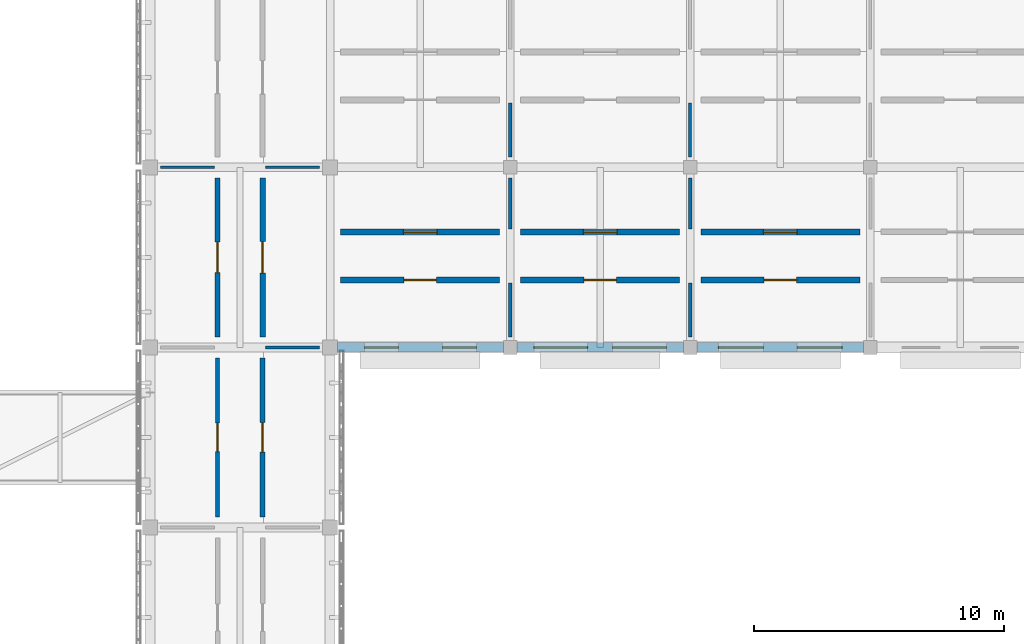
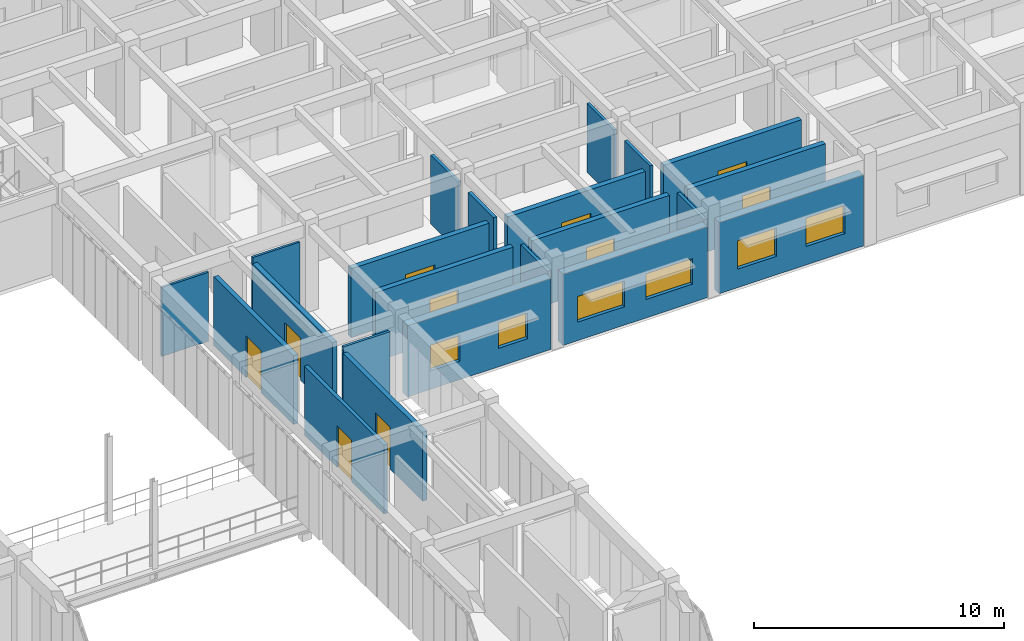
# One storey, part 124 of 171: 22 walls, 10 doors, 6 windows, 16 openings.
"""IFC4 building model written with IfcOpenShell, lengths in metres."""

from ifc_helpers import new_model, si_unit, direction, frame, frame_2d, origin, place, context, subcontext, project, spatial, rectangle, extrude, material, layer, layer_set, type_object, element, fill, save


model = new_model("IFC4")

# Units and contexts
model_context = context("Model", 3, precision=1e-05, world=origin(), true_north=direction((0.0, 1.0)))
body_context = subcontext(model_context, "Body", "Model", "MODEL_VIEW")
ifc_project = project(units=[si_unit("LENGTHUNIT", "METRE"), si_unit("AREAUNIT", "SQUARE_METRE"), si_unit("VOLUMEUNIT", "CUBIC_METRE"), si_unit("PLANEANGLEUNIT", "RADIAN"), si_unit("MASSUNIT", "GRAM", prefix="KILO")], contexts=[model_context])

# Site, building, storey
site_placement = place(None, origin())
site = spatial("IfcSite", under=ifc_project, at=site_placement, CompositionType="ELEMENT")
building_placement = place(site_placement, origin())
building = spatial("IfcBuilding", under=site, at=building_placement, Name="Aldebral Square Health Centre", CompositionType="ELEMENT")
storey_placement = place(building_placement, frame((0.0, 0.0, 4.5)))
storey = spatial("IfcBuildingStorey", under=building, at=storey_placement, Name="L01", CompositionType="ELEMENT", Elevation=4.5)

# Wall, openings, windows
ifc_material_1 = material(Name="Lead-lined concrete C40/50 radiology exterior wall", Category="concrete")
ifc_layer_1 = layer(ifc_material_1, 0.3798828125, Name="Lead-lined concrete C40/50 radiology exterior wall", Category="concrete")
ifc_layer_set_1 = layer_set([ifc_layer_1], Name="Lead-lined concrete C40/50 radiology exterior wall")
wall_type_1 = type_object("IfcWallType", Name="EW-SHD-380", PredefinedType="SOLIDWALL", material=ifc_layer_set_1)
wall_1_placement = place(storey_placement, frame((29.10009765625, 86.39990234375, 0.0), z_axis=(0.0, 0.0, 1.0), x_axis=(1.0, 0.0, 0.0)))
wall_1 = element("IfcWall", 1, at=wall_1_placement, inside=storey, type_object=wall_type_1, Name="L01 V2 exterior wall L01-V2-04-12-S", PredefinedType="SOLIDWALL", context=body_context, shape_type="SweptSolid", body=[
    extrude(rectangle(XDim=6.625, YDim=0.3798828125, at=frame_2d((3.3125, 0.0))), origin(), (0.0, 0.0, 1.0), 3.469970703125),
])
opening_1_placement = place(wall_1_placement, frame((1.074951171875, 0.0, 0.89990234375)))
opening_1 = element("IfcOpeningElement", 2, at=opening_1_placement, cuts=wall_1, Name="Opening W04", PredefinedType="OPENING", context=body_context, shape_type="SweptSolid", body=[
    extrude(rectangle(XDim=1.35009765625, YDim=1.25, at=frame_2d((0.675048828125, 0.625))), frame((0.0, 0.199951171875, 0.0), z_axis=(0.0, -1.0, 0.0), x_axis=(1.0, 0.0, 0.0)), (0.0, 0.0, 1.0), 0.39990234375),
])
opening_2_placement = place(wall_1_placement, frame((4.199951171875, 0.0, 0.89990234375)))
opening_2 = element("IfcOpeningElement", 3, at=opening_2_placement, cuts=wall_1, Name="Opening W04", PredefinedType="OPENING", context=body_context, shape_type="SweptSolid", body=[
    extrude(rectangle(XDim=1.35009765625, YDim=1.25, at=frame_2d((0.675048828125, 0.625))), frame((0.0, 0.199951171875, 0.0), z_axis=(0.0, -1.0, 0.0), x_axis=(1.0, 0.0, 0.0)), (0.0, 0.0, 1.0), 0.39990234375),
])
ifc_material_2 = material(Name="Thermally broken aluminium and low-E glass", Category="aluminium")
window_type_1 = type_object("IfcWindowType", Name="WIN-W04", PartitioningType="SINGLE_PANEL", PredefinedType="WINDOW", material=ifc_material_2)
window_1_placement = place(opening_1_placement, origin())
window_1 = element("IfcWindow", 4, at=window_1_placement, inside=storey, type_object=window_type_1, Name="L01 clinical window L01-V2-04-12-S.1", OverallHeight=1.25, OverallWidth=1.35009765625, PartitioningType="SINGLE_PANEL", PredefinedType="WINDOW", context=body_context, shape_type="SweptSolid", body=[
    extrude(rectangle(XDim=1.35009765625, YDim=1.25, at=frame_2d((0.675048828125, 0.625))), frame((0.0, 0.030029296875, 0.0), z_axis=(0.0, -1.0, 0.0), x_axis=(1.0, 0.0, 0.0)), (0.0, 0.0, 1.0), 0.06005859375),
])
fill(opening_1, window_1)
window_2_placement = place(opening_2_placement, origin())
window_2 = element("IfcWindow", 5, at=window_2_placement, inside=storey, type_object=window_type_1, Name="L01 clinical window L01-V2-04-12-S.2", OverallHeight=1.25, OverallWidth=1.35009765625, PartitioningType="SINGLE_PANEL", PredefinedType="WINDOW", context=body_context, shape_type="SweptSolid", body=[
    extrude(rectangle(XDim=1.35009765625, YDim=1.25, at=frame_2d((0.675048828125, 0.625))), frame((0.0, 0.030029296875, 0.0), z_axis=(0.0, -1.0, 0.0), x_axis=(1.0, 0.0, 0.0)), (0.0, 0.0, 1.0), 0.06005859375),
])
fill(opening_2, window_2)

wall_2_placement = place(storey_placement, frame((36.27490234375, 86.39990234375, 0.0), z_axis=(0.0, 0.0, 1.0), x_axis=(1.0, 0.0, 0.0)))
wall_2 = element("IfcWall", 6, at=wall_2_placement, inside=storey, type_object=wall_type_1, Name="L01 V2 exterior wall L01-V2-05-12-S", PredefinedType="SOLIDWALL", context=body_context, shape_type="SweptSolid", body=[
    extrude(rectangle(XDim=6.650146484375, YDim=0.3798828125, at=frame_2d((3.3251953125, 0.0))), origin(), (0.0, 0.0, 1.0), 3.469970703125),
])
opening_3_placement = place(wall_2_placement, frame((0.675048828125, 0.0, 0.89990234375)))
opening_3 = element("IfcOpeningElement", 7, at=opening_3_placement, cuts=wall_2, Name="Opening W09", PredefinedType="OPENING", context=body_context, shape_type="SweptSolid", body=[
    extrude(rectangle(XDim=2.14990234375, YDim=1.25, at=frame_2d((1.074951171875, 0.625))), frame((0.0, 0.199951171875, 0.0), z_axis=(0.0, -1.0, 0.0), x_axis=(1.0, 0.0, 0.0)), (0.0, 0.0, 1.0), 0.39990234375),
])
opening_4_placement = place(wall_2_placement, frame((3.824951171875, 0.0, 0.89990234375)))
opening_4 = element("IfcOpeningElement", 8, at=opening_4_placement, cuts=wall_2, Name="Opening W09", PredefinedType="OPENING", context=body_context, shape_type="SweptSolid", body=[
    extrude(rectangle(XDim=2.14990234375, YDim=1.25, at=frame_2d((1.074951171875, 0.625))), frame((0.0, 0.199951171875, 0.0), z_axis=(0.0, -1.0, 0.0), x_axis=(1.0, 0.0, 0.0)), (0.0, 0.0, 1.0), 0.39990234375),
])
window_type_2 = type_object("IfcWindowType", Name="WIN-W09", PartitioningType="SINGLE_PANEL", PredefinedType="WINDOW", material=ifc_material_2)
window_3_placement = place(opening_3_placement, origin())
window_3 = element("IfcWindow", 9, at=window_3_placement, inside=storey, type_object=window_type_2, Name="L01 clinical window L01-V2-05-12-S.1", OverallHeight=1.25, OverallWidth=2.14990234375, PartitioningType="SINGLE_PANEL", PredefinedType="WINDOW", context=body_context, shape_type="SweptSolid", body=[
    extrude(rectangle(XDim=2.14990234375, YDim=1.25, at=frame_2d((1.074951171875, 0.625))), frame((0.0, 0.030029296875, 0.0), z_axis=(0.0, -1.0, 0.0), x_axis=(1.0, 0.0, 0.0)), (0.0, 0.0, 1.0), 0.06005859375),
])
fill(opening_3, window_3)
window_4_placement = place(opening_4_placement, origin())
window_4 = element("IfcWindow", 10, at=window_4_placement, inside=storey, type_object=window_type_2, Name="L01 clinical window L01-V2-05-12-S.2", OverallHeight=1.25, OverallWidth=2.14990234375, PartitioningType="SINGLE_PANEL", PredefinedType="WINDOW", context=body_context, shape_type="SweptSolid", body=[
    extrude(rectangle(XDim=2.14990234375, YDim=1.25, at=frame_2d((1.074951171875, 0.625))), frame((0.0, 0.030029296875, 0.0), z_axis=(0.0, -1.0, 0.0), x_axis=(1.0, 0.0, 0.0)), (0.0, 0.0, 1.0), 0.06005859375),
])
fill(opening_4, window_4)

wall_3_placement = place(storey_placement, frame((43.47509765625, 86.39990234375, 0.0), z_axis=(0.0, 0.0, 1.0), x_axis=(1.0, 0.0, 0.0)))
wall_3 = element("IfcWall", 11, at=wall_3_placement, inside=storey, type_object=wall_type_1, Name="L01 V2 exterior wall L01-V2-06-12-S", PredefinedType="SOLIDWALL", context=body_context, shape_type="SweptSolid", body=[
    extrude(rectangle(XDim=6.64990234375, YDim=0.3798828125, at=frame_2d((3.324951171875, 0.0))), origin(), (0.0, 0.0, 1.0), 3.469970703125),
])
opening_5_placement = place(wall_3_placement, frame((0.85009765625, 0.0, 0.89990234375)))
opening_5 = element("IfcOpeningElement", 12, at=opening_5_placement, cuts=wall_3, Name="Opening W16", PredefinedType="OPENING", context=body_context, shape_type="SweptSolid", body=[
    extrude(rectangle(XDim=1.800048828125, YDim=1.3798828125, at=frame_2d((0.89990234375, 0.68994140625))), frame((0.0, 0.199951171875, 0.0), z_axis=(0.0, -1.0, 0.0), x_axis=(1.0, 0.0, 0.0)), (0.0, 0.0, 1.0), 0.39990234375),
])
opening_6_placement = place(wall_3_placement, frame((4.0, 0.0, 0.89990234375)))
opening_6 = element("IfcOpeningElement", 13, at=opening_6_placement, cuts=wall_3, Name="Opening W16", PredefinedType="OPENING", context=body_context, shape_type="SweptSolid", body=[
    extrude(rectangle(XDim=1.800048828125, YDim=1.3798828125, at=frame_2d((0.89990234375, 0.68994140625))), frame((0.0, 0.199951171875, 0.0), z_axis=(0.0, -1.0, 0.0), x_axis=(1.0, 0.0, 0.0)), (0.0, 0.0, 1.0), 0.39990234375),
])
window_type_3 = type_object("IfcWindowType", Name="WIN-W16", PartitioningType="SINGLE_PANEL", PredefinedType="WINDOW", material=ifc_material_2)
window_5_placement = place(opening_5_placement, origin())
window_5 = element("IfcWindow", 14, at=window_5_placement, inside=storey, type_object=window_type_3, Name="L01 clinical window L01-V2-06-12-S.1", OverallHeight=1.3798828125, OverallWidth=1.800048828125, PartitioningType="SINGLE_PANEL", PredefinedType="WINDOW", context=body_context, shape_type="SweptSolid", body=[
    extrude(rectangle(XDim=1.800048828125, YDim=1.3798828125, at=frame_2d((0.89990234375, 0.68994140625))), frame((0.0, 0.030029296875, 0.0), z_axis=(0.0, -1.0, 0.0), x_axis=(1.0, 0.0, 0.0)), (0.0, 0.0, 1.0), 0.06005859375),
])
fill(opening_5, window_5)
window_6_placement = place(opening_6_placement, origin())
window_6 = element("IfcWindow", 15, at=window_6_placement, inside=storey, type_object=window_type_3, Name="L01 clinical window L01-V2-06-12-S.2", OverallHeight=1.3798828125, OverallWidth=1.800048828125, PartitioningType="SINGLE_PANEL", PredefinedType="WINDOW", context=body_context, shape_type="SweptSolid", body=[
    extrude(rectangle(XDim=1.800048828125, YDim=1.3798828125, at=frame_2d((0.89990234375, 0.68994140625))), frame((0.0, 0.030029296875, 0.0), z_axis=(0.0, -1.0, 0.0), x_axis=(1.0, 0.0, 0.0)), (0.0, 0.0, 1.0), 0.06005859375),
])
fill(opening_6, window_6)

# Wall, opening, door
ifc_material_3 = material(Name="Concrete C35/45 compartment wall", Category="concrete")
ifc_layer_2 = layer(ifc_material_3, 0.219970703125, Name="Concrete C35/45 compartment wall", Category="concrete")
ifc_layer_set_2 = layer_set([ifc_layer_2], Name="Concrete C35/45 compartment wall")
wall_type_2 = type_object("IfcWallType", Name="IW-CMP-220", PredefinedType="SOLIDWALL", material=ifc_layer_set_2)
wall_4_placement = place(storey_placement, frame((26.10009765625, 86.820068359375, 0.0), z_axis=(0.0, 0.0, 1.0), x_axis=(0.0, 1.0, 0.0)))
wall_4 = element("IfcWall", 16, at=wall_4_placement, inside=storey, type_object=wall_type_2, Name="L01 General Consulting Room 4.13E corridor wall", PredefinedType="SOLIDWALL", context=body_context, shape_type="SweptSolid", body=[
    extrude(rectangle(XDim=6.35986328125, YDim=0.219970703125, at=frame_2d((3.179931640625, 0.0))), origin(), (0.0, 0.0, 1.0), 3.360107421875),
])
opening_7_placement = place(wall_4_placement, frame((2.550048828125, 0.0, 0.0)))
opening_7 = element("IfcOpeningElement", 17, at=opening_7_placement, cuts=wall_4, Name="Opening D-0300", PredefinedType="OPENING", context=body_context, shape_type="SweptSolid", body=[
    extrude(rectangle(XDim=1.260009765625, YDim=2.0400390625, at=frame_2d((0.6298828125, 1.02001953125))), frame((0.0, 0.1201171875, 0.0), z_axis=(0.0, -1.0, 0.0), x_axis=(1.0, 0.0, 0.0)), (0.0, 0.0, 1.0), 0.239990234375),
])
ifc_material_4 = material(Name="Clinical suite fire door")
door_type_1 = type_object("IfcDoorType", Name="ID-EXD-09", OperationType="NOTDEFINED", PredefinedType="DOOR", material=ifc_material_4)
door_1_placement = place(opening_7_placement, origin())
door_1 = element("IfcDoor", 18, at=door_1_placement, inside=storey, type_object=door_type_1, Name="L01 General Consulting Room 4.13E door", OperationType="SINGLE_SWING_LEFT", OverallHeight=2.0400390625, OverallWidth=1.260009765625, PredefinedType="DOOR", context=body_context, shape_type="SweptSolid", body=[
    extrude(rectangle(XDim=1.260009765625, YDim=2.0400390625, at=frame_2d((0.6298828125, 1.02001953125))), frame((0.0, 0.02490234375, 0.0), z_axis=(0.0, -1.0, 0.0), x_axis=(1.0, 0.0, 0.0)), (0.0, 0.0, 1.0), 0.050048828125),
])
fill(opening_7, door_1)

ifc_material_5 = material(Name="Fire-rated acoustic gypsum partition")
ifc_layer_3 = layer(ifc_material_5, 0.1650390625, Name="Fire-rated acoustic gypsum partition")
ifc_layer_set_3 = layer_set([ifc_layer_3], Name="Fire-rated acoustic gypsum partition")
wall_type_3 = type_object("IfcWallType", Name="IW-COR-165", PredefinedType="PARTITIONING", material=ifc_layer_set_3)
wall_5_placement = place(storey_placement, frame((24.300048828125, 79.6201171875, 0.0), z_axis=(0.0, 0.0, 1.0), x_axis=(0.0, 1.0, 0.0)))
wall_5 = element("IfcWall", 19, at=wall_5_placement, inside=storey, type_object=wall_type_3, Name="L01 Outpatient Treatment Room 4.12W corridor wall", PredefinedType="PARTITIONING", context=body_context, shape_type="SweptSolid", body=[
    extrude(rectangle(XDim=6.35986328125, YDim=0.1650390625, at=frame_2d((3.179931640625, 0.0))), origin(), (0.0, 0.0, 1.0), 3.360107421875),
])
opening_8_placement = place(wall_5_placement, frame((2.610107421875, 0.0, 0.0)))
opening_8 = element("IfcOpeningElement", 20, at=opening_8_placement, cuts=wall_5, Name="Opening D-0297", PredefinedType="OPENING", context=body_context, shape_type="SweptSolid", body=[
    extrude(rectangle(XDim=1.139892578125, YDim=2.0400390625, at=frame_2d((0.56982421875, 1.02001953125))), frame((0.0, 0.092529296875, 0.0), z_axis=(0.0, -1.0, 0.0), x_axis=(1.0, 0.0, 0.0)), (0.0, 0.0, 1.0), 0.18505859375),
])
door_type_2 = type_object("IfcDoorType", Name="ID-EXD-06", OperationType="NOTDEFINED", PredefinedType="DOOR", material=ifc_material_4)
door_2_placement = place(opening_8_placement, origin())
door_2 = element("IfcDoor", 21, at=door_2_placement, inside=storey, type_object=door_type_2, Name="L01 Outpatient Treatment Room 4.12W door", OperationType="SINGLE_SWING_RIGHT", OverallHeight=2.0400390625, OverallWidth=1.139892578125, PredefinedType="DOOR", context=body_context, shape_type="SweptSolid", body=[
    extrude(rectangle(XDim=1.139892578125, YDim=2.0400390625, at=frame_2d((0.56982421875, 1.02001953125))), frame((0.0, 0.02490234375, 0.0), z_axis=(0.0, -1.0, 0.0), x_axis=(1.0, 0.0, 0.0)), (0.0, 0.0, 1.0), 0.050048828125),
])
fill(opening_8, door_2)

ifc_material_6 = material(Name="Moisture-resistant sanitary chase wall")
ifc_layer_4 = layer(ifc_material_6, 0.2099609375, Name="Moisture-resistant sanitary chase wall")
ifc_layer_set_4 = layer_set([ifc_layer_4], Name="Moisture-resistant sanitary chase wall")
wall_type_4 = type_object("IfcWallType", Name="IW-PLB-210", PredefinedType="PLUMBINGWALL", material=ifc_layer_set_4)
wall_6_placement = place(storey_placement, frame((26.10009765625, 79.6201171875, 0.0), z_axis=(0.0, 0.0, 1.0), x_axis=(0.0, 1.0, 0.0)))
wall_6 = element("IfcWall", 22, at=wall_6_placement, inside=storey, type_object=wall_type_4, Name="L01 Accessible WC 4.12E corridor wall", PredefinedType="PLUMBINGWALL", context=body_context, shape_type="SweptSolid", body=[
    extrude(rectangle(XDim=6.35986328125, YDim=0.2099609375, at=frame_2d((3.179931640625, 0.0))), origin(), (0.0, 0.0, 1.0), 3.360107421875),
])
opening_9_placement = place(wall_6_placement, frame((2.590087890625, 0.0, 0.0)))
opening_9 = element("IfcOpeningElement", 23, at=opening_9_placement, cuts=wall_6, Name="Opening D-0298", PredefinedType="OPENING", context=body_context, shape_type="SweptSolid", body=[
    extrude(rectangle(XDim=1.179931640625, YDim=2.0400390625, at=frame_2d((0.58984375, 1.02001953125))), frame((0.0, 0.114990234375, 0.0), z_axis=(0.0, -1.0, 0.0), x_axis=(1.0, 0.0, 0.0)), (0.0, 0.0, 1.0), 0.22998046875),
])
door_type_3 = type_object("IfcDoorType", Name="ID-EXD-07", OperationType="NOTDEFINED", PredefinedType="DOOR", material=ifc_material_4)
door_3_placement = place(opening_9_placement, origin())
door_3 = element("IfcDoor", 24, at=door_3_placement, inside=storey, type_object=door_type_3, Name="L01 Accessible WC 4.12E door", OperationType="SINGLE_SWING_LEFT", OverallHeight=2.0400390625, OverallWidth=1.179931640625, PredefinedType="DOOR", context=body_context, shape_type="SweptSolid", body=[
    extrude(rectangle(XDim=1.179931640625, YDim=2.0400390625, at=frame_2d((0.58984375, 1.02001953125))), frame((0.0, 0.02490234375, 0.0), z_axis=(0.0, -1.0, 0.0), x_axis=(1.0, 0.0, 0.0)), (0.0, 0.0, 1.0), 0.050048828125),
])
fill(opening_9, door_3)

wall_7_placement = place(storey_placement, frame((24.300048828125, 86.820068359375, 0.0), z_axis=(0.0, 0.0, 1.0), x_axis=(0.0, 1.0, 0.0)))
wall_7 = element("IfcWall", 25, at=wall_7_placement, inside=storey, type_object=wall_type_4, Name="L01 Staff Toilet 4.13W corridor wall", PredefinedType="PLUMBINGWALL", context=body_context, shape_type="SweptSolid", body=[
    extrude(rectangle(XDim=6.35986328125, YDim=0.2099609375, at=frame_2d((3.179931640625, 0.0))), origin(), (0.0, 0.0, 1.0), 3.360107421875),
])
opening_10_placement = place(wall_7_placement, frame((2.570068359375, 0.0, 0.0)))
opening_10 = element("IfcOpeningElement", 26, at=opening_10_placement, cuts=wall_7, Name="Opening D-0299", PredefinedType="OPENING", context=body_context, shape_type="SweptSolid", body=[
    extrude(rectangle(XDim=1.219970703125, YDim=2.0400390625, at=frame_2d((0.60986328125, 1.02001953125))), frame((0.0, 0.114990234375, 0.0), z_axis=(0.0, -1.0, 0.0), x_axis=(1.0, 0.0, 0.0)), (0.0, 0.0, 1.0), 0.22998046875),
])
door_type_4 = type_object("IfcDoorType", Name="ID-EXD-08", OperationType="NOTDEFINED", PredefinedType="DOOR", material=ifc_material_4)
door_4_placement = place(opening_10_placement, origin())
door_4 = element("IfcDoor", 27, at=door_4_placement, inside=storey, type_object=door_type_4, Name="L01 Staff Toilet 4.13W door", OperationType="SINGLE_SWING_RIGHT", OverallHeight=2.0400390625, OverallWidth=1.219970703125, PredefinedType="DOOR", context=body_context, shape_type="SweptSolid", body=[
    extrude(rectangle(XDim=1.219970703125, YDim=2.0400390625, at=frame_2d((0.60986328125, 1.02001953125))), frame((0.0, 0.02490234375, 0.0), z_axis=(0.0, -1.0, 0.0), x_axis=(1.0, 0.0, 0.0)), (0.0, 0.0, 1.0), 0.050048828125),
])
fill(opening_10, door_4)

# Walls
ifc_material_7 = material(Name="Lightweight clinical partition")
ifc_layer_5 = layer(ifc_material_7, 0.10498046875, Name="Lightweight clinical partition")
ifc_layer_set_5 = layer_set([ifc_layer_5], Name="Lightweight clinical partition")
wall_type_5 = type_object("IfcWallType", Name="IW-PRT-105", PredefinedType="PARTITIONING", material=ifc_layer_set_5)
for number, where, z_axis, x_axis, name in (
    (28, (22.02001953125, 93.60009765625, 0.0), (0.0, 0.0, 1.0), (1.0, 0.0, 0.0), "L01 Staff Toilet 4.13W demising partition"),
    (29, (26.219970703125, 93.60009765625, 0.0), (0.0, 0.0, 1.0), (1.0, 0.0, 0.0), "L01 General Consulting Room 4.13E demising partition"),
):
    element("IfcWall", number, at=place(storey_placement, frame(where, z_axis=z_axis, x_axis=x_axis)), inside=storey, type_object=wall_type_5, Name=name, PredefinedType="PARTITIONING", context=body_context, shape_type="SweptSolid", body=[
        extrude(rectangle(XDim=2.159912109375, YDim=0.10498046875, at=frame_2d((1.080078125, 0.0))), origin(), (0.0, 0.0, 1.0), 3.360107421875),
    ])
ifc_material_8 = material(Name="Acoustic clinical gypsum partition")
ifc_layer_6 = layer(ifc_material_8, 0.1201171875, Name="Acoustic clinical gypsum partition")
ifc_layer_set_6 = layer_set([ifc_layer_6], Name="Acoustic clinical gypsum partition")
wall_type_6 = type_object("IfcWallType", Name="IW-PRT-120", PredefinedType="PARTITIONING", material=ifc_layer_set_6)
for number, where, z_axis, x_axis, name in (
    (30, (43.199951171875, 94.02001953125, 0.0), (0.0, 0.0, 1.0), (0.0, 1.0, 0.0), "L01 Digital Radiography X-Ray Room 6.14S demising partition"),
    (31, (26.219970703125, 86.39990234375, 0.0), (0.0, 0.0, 1.0), (1.0, 0.0, 0.0), "L01 Accessible WC 4.12E demising partition"),
):
    element("IfcWall", number, at=place(storey_placement, frame(where, z_axis=z_axis, x_axis=x_axis)), inside=storey, type_object=wall_type_6, Name=name, PredefinedType="PARTITIONING", context=body_context, shape_type="SweptSolid", body=[
        extrude(rectangle(XDim=2.159912109375, YDim=0.1201171875, at=frame_2d((1.080078125, 0.0))), origin(), (0.0, 0.0, 1.0), 3.360107421875),
    ])
ifc_layer_7 = layer(ifc_material_8, 0.135009765625, Name="Acoustic clinical gypsum partition")
ifc_layer_set_7 = layer_set([ifc_layer_7], Name="Acoustic clinical gypsum partition")
wall_type_7 = type_object("IfcWallType", Name="IW-PRT-135", PredefinedType="PARTITIONING", material=ifc_layer_set_7)
for number, where, z_axis, x_axis, name in (
    (32, (36.0, 94.02001953125, 0.0), (0.0, 0.0, 1.0), (0.0, 1.0, 0.0), "L01 Digital Radiography X-Ray Room 5.14S demising partition"),
    (33, (43.199951171875, 86.820068359375, 0.0), (0.0, 0.0, 1.0), (0.0, 1.0, 0.0), "L01 Diagnostic Imaging CT Suite 6.13S demising partition"),
):
    element("IfcWall", number, at=place(storey_placement, frame(where, z_axis=z_axis, x_axis=x_axis)), inside=storey, type_object=wall_type_7, Name=name, PredefinedType="PARTITIONING", context=body_context, shape_type="SweptSolid", body=[
        extrude(rectangle(XDim=2.159912109375, YDim=0.135009765625, at=frame_2d((1.080078125, 0.0))), origin(), (0.0, 0.0, 1.0), 3.360107421875),
    ])
wall_8_placement = place(storey_placement, frame((43.199951171875, 91.139892578125, 0.0), z_axis=(0.0, 0.0, 1.0), x_axis=(0.0, 1.0, 0.0)))
element("IfcWall", 34, at=wall_8_placement, inside=storey, type_object=wall_type_7, Name="L01 CT Control and Shielded Monitoring 6.13N demising partition", PredefinedType="PARTITIONING", context=body_context, shape_type="SweptSolid", body=[
    extrude(rectangle(XDim=2.0400390625, YDim=0.135009765625, at=frame_2d((1.02001953125, 0.0))), origin(), (0.0, 0.0, 1.0), 3.360107421875),
])
ifc_layer_8 = layer(ifc_material_8, 0.14990234375, Name="Acoustic clinical gypsum partition")
ifc_layer_set_8 = layer_set([ifc_layer_8], Name="Acoustic clinical gypsum partition")
wall_type_8 = type_object("IfcWallType", Name="IW-PRT-150", PredefinedType="PARTITIONING", material=ifc_layer_set_8)
wall_9_placement = place(storey_placement, frame((36.0, 86.820068359375, 0.0), z_axis=(0.0, 0.0, 1.0), x_axis=(0.0, 1.0, 0.0)))
element("IfcWall", 35, at=wall_9_placement, inside=storey, type_object=wall_type_8, Name="L01 Diagnostic Imaging CT Suite 5.13S demising partition", PredefinedType="PARTITIONING", context=body_context, shape_type="SweptSolid", body=[
    extrude(rectangle(XDim=2.159912109375, YDim=0.14990234375, at=frame_2d((1.080078125, 0.0))), origin(), (0.0, 0.0, 1.0), 3.360107421875),
])
wall_10_placement = place(storey_placement, frame((36.0, 91.139892578125, 0.0), z_axis=(0.0, 0.0, 1.0), x_axis=(0.0, 1.0, 0.0)))
element("IfcWall", 36, at=wall_10_placement, inside=storey, type_object=wall_type_8, Name="L01 CT Control and Shielded Monitoring 5.13N demising partition", PredefinedType="PARTITIONING", context=body_context, shape_type="SweptSolid", body=[
    extrude(rectangle(XDim=2.0400390625, YDim=0.14990234375, at=frame_2d((1.02001953125, 0.0))), origin(), (0.0, 0.0, 1.0), 3.360107421875),
])

# Wall, opening, door
ifc_material_9 = material(Name="Lead-lined gypsum and concrete C35/45 barrier", Category="concrete")
ifc_layer_9 = layer(ifc_material_9, 0.239990234375, Name="Lead-lined gypsum and concrete C35/45 barrier", Category="concrete")
ifc_layer_set_9 = layer_set([ifc_layer_9], Name="Lead-lined gypsum and concrete C35/45 barrier")
wall_type_9 = type_object("IfcWallType", Name="IW-RAD-240", PredefinedType="SOLIDWALL", material=ifc_layer_set_9)
wall_11_placement = place(storey_placement, frame((29.219970703125, 89.10009765625, 0.0), z_axis=(0.0, 0.0, 1.0), x_axis=(1.0, 0.0, 0.0)))
wall_11 = element("IfcWall", 37, at=wall_11_placement, inside=storey, type_object=wall_type_9, Name="L01 Diagnostic Imaging CT Suite 5.13S corridor wall", PredefinedType="SOLIDWALL", context=body_context, shape_type="SweptSolid", body=[
    extrude(rectangle(XDim=6.360107421875, YDim=0.239990234375, at=frame_2d((3.18017578125, 0.0))), origin(), (0.0, 0.0, 1.0), 3.360107421875),
])
opening_11_placement = place(wall_11_placement, frame((2.530029296875, 0.0, 0.0)))
opening_11 = element("IfcOpeningElement", 38, at=opening_11_placement, cuts=wall_11, Name="Opening D-0203", PredefinedType="OPENING", context=body_context, shape_type="SweptSolid", body=[
    extrude(rectangle(XDim=1.300048828125, YDim=2.14990234375, at=frame_2d((0.64990234375, 1.074951171875))), frame((0.0, 0.1298828125, 0.0), z_axis=(0.0, -1.0, 0.0), x_axis=(1.0, 0.0, 0.0)), (0.0, 0.0, 1.0), 0.260009765625),
])
ifc_material_10 = material(Name="Radiography shielded fire door")
door_type_5 = type_object("IfcDoorType", Name="ID-IM-130", OperationType="NOTDEFINED", PredefinedType="DOOR", material=ifc_material_10)
door_5_placement = place(opening_11_placement, origin())
door_5 = element("IfcDoor", 39, at=door_5_placement, inside=storey, type_object=door_type_5, Name="L01 Diagnostic Imaging CT Suite 5.13S door", OperationType="SINGLE_SWING_RIGHT", OverallHeight=2.14990234375, OverallWidth=1.300048828125, PredefinedType="DOOR", context=body_context, shape_type="SweptSolid", body=[
    extrude(rectangle(XDim=1.300048828125, YDim=2.14990234375, at=frame_2d((0.64990234375, 1.074951171875))), frame((0.0, 0.02490234375, 0.0), z_axis=(0.0, -1.0, 0.0), x_axis=(1.0, 0.0, 0.0)), (0.0, 0.0, 1.0), 0.050048828125),
])
fill(opening_11, door_5)

wall_12_placement = place(storey_placement, frame((29.219970703125, 91.02001953125, 0.0), z_axis=(0.0, 0.0, 1.0), x_axis=(1.0, 0.0, 0.0)))
wall_12 = element("IfcWall", 40, at=wall_12_placement, inside=storey, type_object=wall_type_9, Name="L01 CT Control and Shielded Monitoring 5.13N corridor wall", PredefinedType="SOLIDWALL", context=body_context, shape_type="SweptSolid", body=[
    extrude(rectangle(XDim=6.360107421875, YDim=0.239990234375, at=frame_2d((3.18017578125, 0.0))), origin(), (0.0, 0.0, 1.0), 3.360107421875),
])
opening_12_placement = place(wall_12_placement, frame((2.5048828125, 0.0, 0.0)))
opening_12 = element("IfcOpeningElement", 41, at=opening_12_placement, cuts=wall_12, Name="Opening D-0204", PredefinedType="OPENING", context=body_context, shape_type="SweptSolid", body=[
    extrude(rectangle(XDim=1.35009765625, YDim=2.199951171875, at=frame_2d((0.675048828125, 1.10009765625))), frame((0.0, 0.1298828125, 0.0), z_axis=(0.0, -1.0, 0.0), x_axis=(1.0, 0.0, 0.0)), (0.0, 0.0, 1.0), 0.260009765625),
])
ifc_material_11 = material(Name="Lead-lined imaging suite door")
door_type_6 = type_object("IfcDoorType", Name="ID-IM-135", OperationType="NOTDEFINED", PredefinedType="DOOR", material=ifc_material_11)
door_6_placement = place(opening_12_placement, origin())
door_6 = element("IfcDoor", 42, at=door_6_placement, inside=storey, type_object=door_type_6, Name="L01 CT Control and Shielded Monitoring 5.13N door", OperationType="SINGLE_SWING_LEFT", OverallHeight=2.199951171875, OverallWidth=1.35009765625, PredefinedType="DOOR", context=body_context, shape_type="SweptSolid", body=[
    extrude(rectangle(XDim=1.35009765625, YDim=2.199951171875, at=frame_2d((0.675048828125, 1.10009765625))), frame((0.0, 0.02490234375, 0.0), z_axis=(0.0, -1.0, 0.0), x_axis=(1.0, 0.0, 0.0)), (0.0, 0.0, 1.0), 0.050048828125),
])
fill(opening_12, door_6)

wall_13_placement = place(storey_placement, frame((36.419921875, 89.10009765625, 0.0), z_axis=(0.0, 0.0, 1.0), x_axis=(1.0, 0.0, 0.0)))
wall_13 = element("IfcWall", 43, at=wall_13_placement, inside=storey, type_object=wall_type_9, Name="L01 Diagnostic Imaging CT Suite 6.13S corridor wall", PredefinedType="SOLIDWALL", context=body_context, shape_type="SweptSolid", body=[
    extrude(rectangle(XDim=6.360107421875, YDim=0.239990234375, at=frame_2d((3.18017578125, 0.0))), origin(), (0.0, 0.0, 1.0), 3.360107421875),
])
opening_13_placement = place(wall_13_placement, frame((2.530029296875, 0.0, 0.0)))
opening_13 = element("IfcOpeningElement", 44, at=opening_13_placement, cuts=wall_13, Name="Opening D-0211", PredefinedType="OPENING", context=body_context, shape_type="SweptSolid", body=[
    extrude(rectangle(XDim=1.300048828125, YDim=2.14990234375, at=frame_2d((0.64990234375, 1.074951171875))), frame((0.0, 0.1298828125, 0.0), z_axis=(0.0, -1.0, 0.0), x_axis=(1.0, 0.0, 0.0)), (0.0, 0.0, 1.0), 0.260009765625),
])
door_7_placement = place(opening_13_placement, origin())
door_7 = element("IfcDoor", 45, at=door_7_placement, inside=storey, type_object=door_type_5, Name="L01 Diagnostic Imaging CT Suite 6.13S door", OperationType="SINGLE_SWING_RIGHT", OverallHeight=2.14990234375, OverallWidth=1.300048828125, PredefinedType="DOOR", context=body_context, shape_type="SweptSolid", body=[
    extrude(rectangle(XDim=1.300048828125, YDim=2.14990234375, at=frame_2d((0.64990234375, 1.074951171875))), frame((0.0, 0.02490234375, 0.0), z_axis=(0.0, -1.0, 0.0), x_axis=(1.0, 0.0, 0.0)), (0.0, 0.0, 1.0), 0.050048828125),
])
fill(opening_13, door_7)

wall_14_placement = place(storey_placement, frame((36.419921875, 91.02001953125, 0.0), z_axis=(0.0, 0.0, 1.0), x_axis=(1.0, 0.0, 0.0)))
wall_14 = element("IfcWall", 46, at=wall_14_placement, inside=storey, type_object=wall_type_9, Name="L01 CT Control and Shielded Monitoring 6.13N corridor wall", PredefinedType="SOLIDWALL", context=body_context, shape_type="SweptSolid", body=[
    extrude(rectangle(XDim=6.360107421875, YDim=0.239990234375, at=frame_2d((3.18017578125, 0.0))), origin(), (0.0, 0.0, 1.0), 3.360107421875),
])
opening_14_placement = place(wall_14_placement, frame((2.5048828125, 0.0, 0.0)))
opening_14 = element("IfcOpeningElement", 47, at=opening_14_placement, cuts=wall_14, Name="Opening D-0212", PredefinedType="OPENING", context=body_context, shape_type="SweptSolid", body=[
    extrude(rectangle(XDim=1.35009765625, YDim=2.199951171875, at=frame_2d((0.675048828125, 1.10009765625))), frame((0.0, 0.1298828125, 0.0), z_axis=(0.0, -1.0, 0.0), x_axis=(1.0, 0.0, 0.0)), (0.0, 0.0, 1.0), 0.260009765625),
])
door_8_placement = place(opening_14_placement, origin())
door_8 = element("IfcDoor", 48, at=door_8_placement, inside=storey, type_object=door_type_6, Name="L01 CT Control and Shielded Monitoring 6.13N door", OperationType="SINGLE_SWING_LEFT", OverallHeight=2.199951171875, OverallWidth=1.35009765625, PredefinedType="DOOR", context=body_context, shape_type="SweptSolid", body=[
    extrude(rectangle(XDim=1.35009765625, YDim=2.199951171875, at=frame_2d((0.675048828125, 1.10009765625))), frame((0.0, 0.02490234375, 0.0), z_axis=(0.0, -1.0, 0.0), x_axis=(1.0, 0.0, 0.0)), (0.0, 0.0, 1.0), 0.050048828125),
])
fill(opening_14, door_8)

wall_15_placement = place(storey_placement, frame((43.6201171875, 89.10009765625, 0.0), z_axis=(0.0, 0.0, 1.0), x_axis=(1.0, 0.0, 0.0)))
wall_15 = element("IfcWall", 49, at=wall_15_placement, inside=storey, type_object=wall_type_9, Name="L01 Diagnostic Imaging CT Suite 7.13S corridor wall", PredefinedType="SOLIDWALL", context=body_context, shape_type="SweptSolid", body=[
    extrude(rectangle(XDim=6.35986328125, YDim=0.239990234375, at=frame_2d((3.179931640625, 0.0))), origin(), (0.0, 0.0, 1.0), 3.360107421875),
])
opening_15_placement = place(wall_15_placement, frame((2.530029296875, 0.0, 0.0)))
opening_15 = element("IfcOpeningElement", 50, at=opening_15_placement, cuts=wall_15, Name="Opening D-0219", PredefinedType="OPENING", context=body_context, shape_type="SweptSolid", body=[
    extrude(rectangle(XDim=1.300048828125, YDim=2.14990234375, at=frame_2d((0.64990234375, 1.074951171875))), frame((0.0, 0.1298828125, 0.0), z_axis=(0.0, -1.0, 0.0), x_axis=(1.0, 0.0, 0.0)), (0.0, 0.0, 1.0), 0.260009765625),
])
door_9_placement = place(opening_15_placement, origin())
door_9 = element("IfcDoor", 51, at=door_9_placement, inside=storey, type_object=door_type_5, Name="L01 Diagnostic Imaging CT Suite 7.13S door", OperationType="SINGLE_SWING_RIGHT", OverallHeight=2.14990234375, OverallWidth=1.300048828125, PredefinedType="DOOR", context=body_context, shape_type="SweptSolid", body=[
    extrude(rectangle(XDim=1.300048828125, YDim=2.14990234375, at=frame_2d((0.64990234375, 1.074951171875))), frame((0.0, 0.02490234375, 0.0), z_axis=(0.0, -1.0, 0.0), x_axis=(1.0, 0.0, 0.0)), (0.0, 0.0, 1.0), 0.050048828125),
])
fill(opening_15, door_9)

wall_16_placement = place(storey_placement, frame((43.6201171875, 91.02001953125, 0.0), z_axis=(0.0, 0.0, 1.0), x_axis=(1.0, 0.0, 0.0)))
wall_16 = element("IfcWall", 52, at=wall_16_placement, inside=storey, type_object=wall_type_9, Name="L01 CT Control and Shielded Monitoring 7.13N corridor wall", PredefinedType="SOLIDWALL", context=body_context, shape_type="SweptSolid", body=[
    extrude(rectangle(XDim=6.35986328125, YDim=0.239990234375, at=frame_2d((3.179931640625, 0.0))), origin(), (0.0, 0.0, 1.0), 3.360107421875),
])
opening_16_placement = place(wall_16_placement, frame((2.5048828125, 0.0, 0.0)))
opening_16 = element("IfcOpeningElement", 53, at=opening_16_placement, cuts=wall_16, Name="Opening D-0220", PredefinedType="OPENING", context=body_context, shape_type="SweptSolid", body=[
    extrude(rectangle(XDim=1.35009765625, YDim=2.199951171875, at=frame_2d((0.675048828125, 1.10009765625))), frame((0.0, 0.1298828125, 0.0), z_axis=(0.0, -1.0, 0.0), x_axis=(1.0, 0.0, 0.0)), (0.0, 0.0, 1.0), 0.260009765625),
])
door_10_placement = place(opening_16_placement, origin())
door_10 = element("IfcDoor", 54, at=door_10_placement, inside=storey, type_object=door_type_6, Name="L01 CT Control and Shielded Monitoring 7.13N door", OperationType="SINGLE_SWING_LEFT", OverallHeight=2.199951171875, OverallWidth=1.35009765625, PredefinedType="DOOR", context=body_context, shape_type="SweptSolid", body=[
    extrude(rectangle(XDim=1.35009765625, YDim=2.199951171875, at=frame_2d((0.675048828125, 1.10009765625))), frame((0.0, 0.02490234375, 0.0), z_axis=(0.0, -1.0, 0.0), x_axis=(1.0, 0.0, 0.0)), (0.0, 0.0, 1.0), 0.050048828125),
])
fill(opening_16, door_10)

save(model, "model.ifc")
